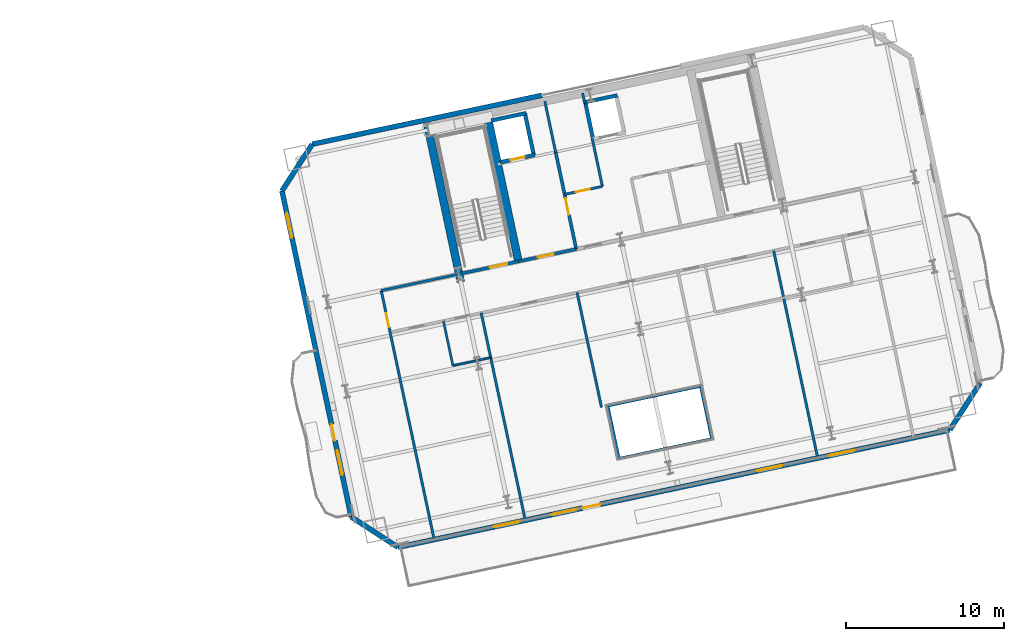
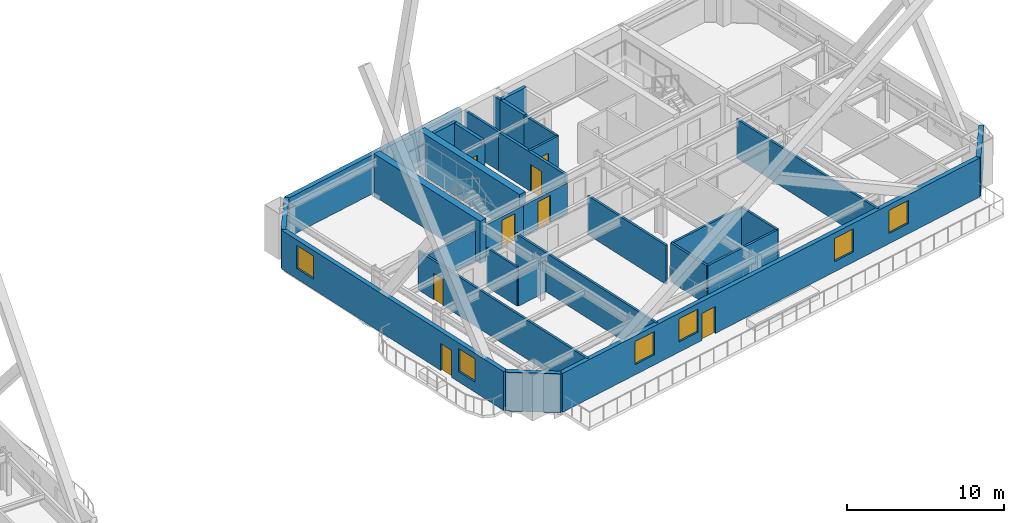
# One storey, part 14 of 22: 31 walls, 8 doors, 6 windows, 14 openings.
"""IFC4 building model written with IfcOpenShell, lengths in metres."""

from ifc_helpers import new_model, si_unit, direction, frame, frame_2d, origin, place, context, subcontext, project, spatial, rectangle, extrude, material, layer, layer_set, type_object, element, fill, save


model = new_model("IFC4")

# Units and contexts
model_context = context("Model", 3, precision=1e-05, world=origin(), true_north=direction((0.0, 1.0)))
body_context = subcontext(model_context, "Body", "Model", "MODEL_VIEW")
ifc_project = project(units=[si_unit("LENGTHUNIT", "METRE"), si_unit("AREAUNIT", "SQUARE_METRE"), si_unit("VOLUMEUNIT", "CUBIC_METRE"), si_unit("PLANEANGLEUNIT", "RADIAN"), si_unit("MASSUNIT", "GRAM", prefix="KILO")], contexts=[model_context])

# Site, building, storey
site_placement = place(None, origin())
site = spatial("IfcSite", under=ifc_project, at=site_placement, CompositionType="ELEMENT")
building_placement = place(site_placement, origin())
building = spatial("IfcBuilding", under=site, at=building_placement, Name="Haevon Station Towers", CompositionType="ELEMENT")
storey_placement = place(building_placement, frame((0.0, 0.0, 93.300048828125)))
storey = spatial("IfcBuildingStorey", under=building, at=storey_placement, Name="L24", CompositionType="ELEMENT", Elevation=93.300048828125)

# Wall, opening, door
ifc_material_1 = material(Name="Gypsum board on steel stud", Category="steel")
ifc_layer_1 = layer(ifc_material_1, 0.199951171875)
ifc_layer_set_1 = layer_set([ifc_layer_1], Name="Gypsum board on steel stud")
wall_type_1 = type_object("IfcWallType", Name="WL-COR200", PredefinedType="PARTITIONING", material=ifc_layer_set_1)
wall_1_placement = place(storey_placement, frame((98.75244140625, 37.4423828125, 0.0), z_axis=(0.0, 0.0, 1.0), x_axis=(0.978143537786, 0.207930804564, 0.0)))
wall_1 = element("IfcWall", 1, at=wall_1_placement, inside=storey, type_object=wall_type_1, Name="WL-ST-ST3-L24", PredefinedType="PARTITIONING", context=body_context, shape_type="SweptSolid", body=[
    extrude(rectangle(XDim=3.85009765625, YDim=0.199951171875, at=frame_2d((1.925048828125, 0.0))), origin(), (0.0, 0.0, 1.0), 2.3798828125),
])
opening_1_placement = place(wall_1_placement, frame((2.0, 0.0, 0.0)))
opening_1 = element("IfcOpeningElement", 2, at=opening_1_placement, cuts=wall_1, Name="Opening DR-ST-ST3-L24", PredefinedType="OPENING", context=body_context, shape_type="SweptSolid", body=[
    extrude(rectangle(XDim=1.1201171875, YDim=2.10009765625, at=frame_2d((0.56005859375, 1.050048828125))), frame((0.0, 0.10986328125, 0.0), z_axis=(0.0, -1.0, 0.0), x_axis=(1.0, 0.0, 0.0)), (0.0, 0.0, 1.0), 0.219970703125),
])
ifc_material_2 = material(Name="Engineered oak timber", Category="wood")
door_type_1 = type_object("IfcDoorType", Name="DR-ST-1120", OperationType="NOTDEFINED", PredefinedType="DOOR", material=ifc_material_2)
door_1_placement = place(opening_1_placement, origin())
door_1 = element("IfcDoor", 3, at=door_1_placement, inside=storey, type_object=door_type_1, Name="L24 Escape Stair ST3 Fire Door", OperationType="SINGLE_SWING_RIGHT", OverallHeight=2.10009765625, OverallWidth=1.1201171875, PredefinedType="DOOR", context=body_context, shape_type="SweptSolid", body=[
    extrude(rectangle(XDim=1.1201171875, YDim=2.10009765625, at=frame_2d((0.56005859375, 1.050048828125))), frame((0.0, 0.02490234375, 0.0), z_axis=(0.0, -1.0, 0.0), x_axis=(1.0, 0.0, 0.0)), (0.0, 0.0, 1.0), 0.050048828125),
])
fill(opening_1, door_1)

wall_2_placement = place(storey_placement, frame((106.186279296875, 39.0224609375, 0.0), z_axis=(0.0, 0.0, 1.0), x_axis=(-0.207916691923, 0.978146537703, 0.0)))
wall_2 = element("IfcWall", 4, at=wall_2_placement, inside=storey, type_object=wall_type_1, Name="WL-T2FFL-L24-E", PredefinedType="PARTITIONING", context=body_context, shape_type="SweptSolid", body=[
    extrude(rectangle(XDim=6.35009765625, YDim=0.199951171875, at=frame_2d((3.175048828125, 0.0))), origin(), (0.0, 0.0, 1.0), 3.030029296875),
])
opening_2_placement = place(wall_2_placement, frame((2.239990234375, 0.0, 0.0)))
opening_2 = element("IfcOpeningElement", 5, at=opening_2_placement, cuts=wall_2, Name="Opening DR-T2FFL-L24-E", PredefinedType="OPENING", context=body_context, shape_type="SweptSolid", body=[
    extrude(rectangle(XDim=1.050048828125, YDim=2.10009765625, at=frame_2d((0.52490234375, 1.050048828125))), frame((0.0, 0.10986328125, 0.0), z_axis=(0.0, -1.0, 0.0), x_axis=(1.0, 0.0, 0.0)), (0.0, 0.0, 1.0), 0.219970703125),
])
door_type_2 = type_object("IfcDoorType", Name="DR-FD60-1050", OperationType="NOTDEFINED", PredefinedType="DOOR", material=ifc_material_2)
door_2_placement = place(opening_2_placement, origin())
door_2 = element("IfcDoor", 6, at=door_2_placement, inside=storey, type_object=door_type_2, Name="L24 Tower 2 Firefighting Lift Lobby Door E", OperationType="SINGLE_SWING_RIGHT", OverallHeight=2.10009765625, OverallWidth=1.050048828125, PredefinedType="DOOR", context=body_context, shape_type="SweptSolid", body=[
    extrude(rectangle(XDim=1.050048828125, YDim=2.10009765625, at=frame_2d((0.52490234375, 1.050048828125))), frame((0.0, 0.02490234375, 0.0), z_axis=(0.0, -1.0, 0.0), x_axis=(1.0, 0.0, 0.0)), (0.0, 0.0, 1.0), 0.050048828125),
])
fill(opening_2, door_2)

wall_3_placement = place(storey_placement, frame((102.518310546875, 38.242919921875, 0.0), z_axis=(0.0, 0.0, 1.0), x_axis=(0.978153555683, 0.20788367301, 0.0)))
wall_3 = element("IfcWall", 7, at=wall_3_placement, inside=storey, type_object=wall_type_1, Name="WL-T2FFL-L24-S", PredefinedType="PARTITIONING", context=body_context, shape_type="SweptSolid", body=[
    extrude(rectangle(XDim=3.75, YDim=0.199951171875, at=frame_2d((1.875, 0.0))), origin(), (0.0, 0.0, 1.0), 2.3798828125),
])
opening_3_placement = place(wall_3_placement, frame((1.25, 0.0, 0.0)))
opening_3 = element("IfcOpeningElement", 8, at=opening_3_placement, cuts=wall_3, Name="Opening DR-T2FFL-L24-S", PredefinedType="OPENING", context=body_context, shape_type="SweptSolid", body=[
    extrude(rectangle(XDim=1.050048828125, YDim=2.10009765625, at=frame_2d((0.52490234375, 1.050048828125))), frame((0.0, 0.10986328125, 0.0), z_axis=(0.0, -1.0, 0.0), x_axis=(1.0, 0.0, 0.0)), (0.0, 0.0, 1.0), 0.219970703125),
])
door_3_placement = place(opening_3_placement, origin())
door_3 = element("IfcDoor", 9, at=door_3_placement, inside=storey, type_object=door_type_2, Name="L24 Tower 2 Firefighting Lift Lobby Door S", OperationType="SINGLE_SWING_LEFT", OverallHeight=2.10009765625, OverallWidth=1.050048828125, PredefinedType="DOOR", context=body_context, shape_type="SweptSolid", body=[
    extrude(rectangle(XDim=1.050048828125, YDim=2.10009765625, at=frame_2d((0.52490234375, 1.050048828125))), frame((0.0, 0.02490234375, 0.0), z_axis=(0.0, -1.0, 0.0), x_axis=(1.0, 0.0, 0.0)), (0.0, 0.0, 1.0), 0.050048828125),
])
fill(opening_3, door_3)

# Walls
ifc_material_3 = material(Name="Concrete C60/75", Category="concrete")
ifc_layer_2 = layer(ifc_material_3, 0.5)
ifc_layer_set_2 = layer_set([ifc_layer_2], Name="Concrete C60/75")
wall_type_2 = type_object("IfcWallType", Name="WL-CR500", PredefinedType="SHEAR", material=ifc_layer_set_2)
wall_4_placement = place(storey_placement, frame((98.8603515625, 36.933837890625, 0.0), z_axis=(0.0, 0.0, 1.0), x_axis=(-0.20790924889, 0.978148119778, 0.0)))
element("IfcWall", 10, at=wall_4_placement, inside=storey, type_object=wall_type_2, Name="WL-T2CR-L24-W", PredefinedType="SHEAR", context=body_context, shape_type="SweptSolid", body=[
    extrude(rectangle(XDim=10.119873046875, YDim=0.5, at=frame_2d((5.06005859375, 0.0))), origin(), (0.0, 0.0, 1.0), 3.300048828125),
])
wall_5_placement = place(storey_placement, frame((102.518310546875, 38.242919921875, 0.0), z_axis=(0.0, 0.0, 1.0), x_axis=(-0.207927495108, 0.978144241295, 0.0)))
element("IfcWall", 11, at=wall_5_placement, inside=storey, type_object=wall_type_2, Name="WL-T2CR-L24-M1", PredefinedType="SHEAR", context=body_context, shape_type="SweptSolid", body=[
    extrude(rectangle(XDim=9.599853515625, YDim=0.5, at=frame_2d((4.7998046875, 0.0))), origin(), (0.0, 0.0, 1.0), 3.300048828125),
])

# Wall, openings, door, windows
ifc_material_4 = material(Name="Precast concrete C45/55", Category="concrete")
ifc_layer_3 = layer(ifc_material_4, 0.320068359375)
ifc_layer_set_3 = layer_set([ifc_layer_3], Name="Precast concrete C45/55")
wall_type_3 = type_object("IfcWallType", Name="WL-EXT-PIER320", PredefinedType="SOLIDWALL", material=ifc_layer_set_3)
wall_6_placement = place(storey_placement, frame((129.889404296875, 27.550048828125, 0.0), z_axis=(0.0, 0.0, 1.0), x_axis=(-0.978146786281, -0.207915522479, 0.0)))
wall_6 = element("IfcWall", 12, at=wall_6_placement, inside=storey, type_object=wall_type_3, Name="WL-T2-L24-S", PredefinedType="SOLIDWALL", context=body_context, shape_type="SweptSolid", body=[
    extrude(rectangle(XDim=35.7998046875, YDim=0.320068359375, at=frame_2d((17.89990234375, 0.0))), origin(), (0.0, 0.0, 1.0), 3.030029296875),
])
opening_4_placement = place(wall_6_placement, frame((22.6884765625, 0.0, 0.0)))
opening_4 = element("IfcOpeningElement", 13, at=opening_4_placement, cuts=wall_6, Name="Opening DR-T2-SKYG-L24", PredefinedType="OPENING", context=body_context, shape_type="SweptSolid", body=[
    extrude(rectangle(XDim=1.14990234375, YDim=2.10009765625, at=frame_2d((0.574951171875, 1.050048828125))), frame((0.0, 0.169921875, 0.0), z_axis=(0.0, -1.0, 0.0), x_axis=(1.0, 0.0, 0.0)), (0.0, 0.0, 1.0), 0.340087890625),
])
opening_5_placement = place(wall_6_placement, frame((27.9208984375, 0.0, 0.800048828125)))
opening_5 = element("IfcOpeningElement", 14, at=opening_5_placement, cuts=wall_6, Name="Opening WN-P165", PredefinedType="OPENING", context=body_context, shape_type="SweptSolid", body=[
    extrude(rectangle(XDim=1.64990234375, YDim=1.800048828125, at=frame_2d((0.824951171875, 0.89990234375))), frame((0.0, 0.169921875, 0.0), z_axis=(0.0, -1.0, 0.0), x_axis=(1.0, 0.0, 0.0)), (0.0, 0.0, 1.0), 0.340087890625),
])
opening_6_placement = place(wall_6_placement, frame((24.177490234375, 0.0, 0.800048828125)))
opening_6 = element("IfcOpeningElement", 15, at=opening_6_placement, cuts=wall_6, Name="Opening WN-P165", PredefinedType="OPENING", context=body_context, shape_type="SweptSolid", body=[
    extrude(rectangle(XDim=1.64990234375, YDim=1.800048828125, at=frame_2d((0.824951171875, 0.89990234375))), frame((0.0, 0.169921875, 0.0), z_axis=(0.0, -1.0, 0.0), x_axis=(1.0, 0.0, 0.0)), (0.0, 0.0, 1.0), 0.340087890625),
])
opening_7_placement = place(wall_6_placement, frame((10.85498046875, 0.0, 0.800048828125)))
opening_7 = element("IfcOpeningElement", 16, at=opening_7_placement, cuts=wall_6, Name="Opening WN-P165", PredefinedType="OPENING", context=body_context, shape_type="SweptSolid", body=[
    extrude(rectangle(XDim=1.64990234375, YDim=1.800048828125, at=frame_2d((0.824951171875, 0.89990234375))), frame((0.0, 0.169921875, 0.0), z_axis=(0.0, -1.0, 0.0), x_axis=(1.0, 0.0, 0.0)), (0.0, 0.0, 1.0), 0.340087890625),
])
opening_8_placement = place(wall_6_placement, frame((6.158935546875, 0.0, 0.800048828125)))
opening_8 = element("IfcOpeningElement", 17, at=opening_8_placement, cuts=wall_6, Name="Opening WN-P165", PredefinedType="OPENING", context=body_context, shape_type="SweptSolid", body=[
    extrude(rectangle(XDim=1.64990234375, YDim=1.800048828125, at=frame_2d((0.824951171875, 0.89990234375))), frame((0.0, 0.169921875, 0.0), z_axis=(0.0, -1.0, 0.0), x_axis=(1.0, 0.0, 0.0)), (0.0, 0.0, 1.0), 0.340087890625),
])
ifc_material_5 = material(Name="Thermally broken anodised aluminium and laminated safety glass", Category="aluminium")
door_type_3 = type_object("IfcDoorType", Name="DR-BALC-1150", OperationType="NOTDEFINED", PredefinedType="DOOR", material=ifc_material_5)
door_4_placement = place(opening_4_placement, origin())
door_4 = element("IfcDoor", 18, at=door_4_placement, inside=storey, type_object=door_type_3, Name="Tower 2 L24 Sky Garden Terrace Door", OperationType="SINGLE_SWING_RIGHT", OverallHeight=2.10009765625, OverallWidth=1.14990234375, PredefinedType="DOOR", context=body_context, shape_type="SweptSolid", body=[
    extrude(rectangle(XDim=1.14990234375, YDim=2.10009765625, at=frame_2d((0.574951171875, 1.050048828125))), frame((0.0, 0.02490234375, 0.0), z_axis=(0.0, -1.0, 0.0), x_axis=(1.0, 0.0, 0.0)), (0.0, 0.0, 1.0), 0.050048828125),
])
fill(opening_4, door_4)
ifc_material_6 = material(Name="Low-E triple glazing in thermally broken aluminium", Category="aluminium")
window_type_1 = type_object("IfcWindowType", Name="WN-P165", PartitioningType="SINGLE_PANEL", PredefinedType="WINDOW", material=ifc_material_6)
window_1_placement = place(opening_5_placement, origin())
window_1 = element("IfcWindow", 19, at=window_1_placement, inside=storey, type_object=window_type_1, Name="WN-T2-L24-S01", OverallHeight=1.800048828125, OverallWidth=1.64990234375, PartitioningType="SINGLE_PANEL", PredefinedType="WINDOW", context=body_context, shape_type="SweptSolid", body=[
    extrude(rectangle(XDim=1.64990234375, YDim=1.800048828125, at=frame_2d((0.824951171875, 0.89990234375))), frame((0.0, 0.030029296875, 0.0), z_axis=(0.0, -1.0, 0.0), x_axis=(1.0, 0.0, 0.0)), (0.0, 0.0, 1.0), 0.06005859375),
])
fill(opening_5, window_1)
window_2_placement = place(opening_6_placement, origin())
window_2 = element("IfcWindow", 20, at=window_2_placement, inside=storey, type_object=window_type_1, Name="WN-T2-L24-S02", OverallHeight=1.800048828125, OverallWidth=1.64990234375, PartitioningType="SINGLE_PANEL", PredefinedType="WINDOW", context=body_context, shape_type="SweptSolid", body=[
    extrude(rectangle(XDim=1.64990234375, YDim=1.800048828125, at=frame_2d((0.824951171875, 0.89990234375))), frame((0.0, 0.030029296875, 0.0), z_axis=(0.0, -1.0, 0.0), x_axis=(1.0, 0.0, 0.0)), (0.0, 0.0, 1.0), 0.06005859375),
])
fill(opening_6, window_2)
window_3_placement = place(opening_7_placement, origin())
window_3 = element("IfcWindow", 21, at=window_3_placement, inside=storey, type_object=window_type_1, Name="WN-T2-L24-S03", OverallHeight=1.800048828125, OverallWidth=1.64990234375, PartitioningType="SINGLE_PANEL", PredefinedType="WINDOW", context=body_context, shape_type="SweptSolid", body=[
    extrude(rectangle(XDim=1.64990234375, YDim=1.800048828125, at=frame_2d((0.824951171875, 0.89990234375))), frame((0.0, 0.030029296875, 0.0), z_axis=(0.0, -1.0, 0.0), x_axis=(1.0, 0.0, 0.0)), (0.0, 0.0, 1.0), 0.06005859375),
])
fill(opening_7, window_3)
window_4_placement = place(opening_8_placement, origin())
window_4 = element("IfcWindow", 22, at=window_4_placement, inside=storey, type_object=window_type_1, Name="WN-T2-L24-S04", OverallHeight=1.800048828125, OverallWidth=1.64990234375, PartitioningType="SINGLE_PANEL", PredefinedType="WINDOW", context=body_context, shape_type="SweptSolid", body=[
    extrude(rectangle(XDim=1.64990234375, YDim=1.800048828125, at=frame_2d((0.824951171875, 0.89990234375))), frame((0.0, 0.030029296875, 0.0), z_axis=(0.0, -1.0, 0.0), x_axis=(1.0, 0.0, 0.0)), (0.0, 0.0, 1.0), 0.06005859375),
])
fill(opening_8, window_4)

# Wall
wall_7_placement = place(storey_placement, frame((94.871826171875, 20.106689453125, 0.0), z_axis=(0.0, 0.0, 1.0), x_axis=(-0.838640767148, 0.544684921471, 0.0)))
element("IfcWall", 23, at=wall_7_placement, inside=storey, type_object=wall_type_3, Name="WL-T2-L24-SWC", PredefinedType="SOLIDWALL", context=body_context, shape_type="SweptSolid", body=[
    extrude(rectangle(XDim=3.53564453125, YDim=0.320068359375, at=frame_2d((1.767822265625, 0.0))), origin(), (0.0, 0.0, 1.0), 3.030029296875),
])

# Wall, openings, door, windows
wall_8_placement = place(storey_placement, frame((91.90673828125, 22.032470703125, 0.0), z_axis=(0.0, 0.0, 1.0), x_axis=(-0.207918258146, 0.978146204782, 0.0)))
wall_8 = element("IfcWall", 24, at=wall_8_placement, inside=storey, type_object=wall_type_3, Name="WL-T2-L24-W", PredefinedType="SOLIDWALL", context=body_context, shape_type="SweptSolid", body=[
    extrude(rectangle(XDim=21.14990234375, YDim=0.320068359375, at=frame_2d((10.574951171875, 0.0))), origin(), (0.0, 0.0, 1.0), 3.030029296875),
])
opening_9_placement = place(wall_8_placement, frame((4.949951171875, 0.0, 0.0)))
opening_9 = element("IfcOpeningElement", 25, at=opening_9_placement, cuts=wall_8, Name="Opening DR-T2-SCAL-L24-W", PredefinedType="OPENING", context=body_context, shape_type="SweptSolid", body=[
    extrude(rectangle(XDim=1.050048828125, YDim=2.10009765625, at=frame_2d((0.52490234375, 1.050048828125))), frame((0.0, 0.169921875, 0.0), z_axis=(0.0, -1.0, 0.0), x_axis=(1.0, 0.0, 0.0)), (0.0, 0.0, 1.0), 0.340087890625),
])
opening_10_placement = place(wall_8_placement, frame((2.72314453125, 0.0, 0.800048828125)))
opening_10 = element("IfcOpeningElement", 26, at=opening_10_placement, cuts=wall_8, Name="Opening WN-END160", PredefinedType="OPENING", context=body_context, shape_type="SweptSolid", body=[
    extrude(rectangle(XDim=1.60009765625, YDim=1.800048828125, at=frame_2d((0.800048828125, 0.89990234375))), frame((0.0, 0.169921875, 0.0), z_axis=(0.0, -1.0, 0.0), x_axis=(1.0, 0.0, 0.0)), (0.0, 0.0, 1.0), 0.340087890625),
])
opening_11_placement = place(wall_8_placement, frame((18.10888671875, 0.0, 0.800048828125)))
opening_11 = element("IfcOpeningElement", 27, at=opening_11_placement, cuts=wall_8, Name="Opening WN-END160", PredefinedType="OPENING", context=body_context, shape_type="SweptSolid", body=[
    extrude(rectangle(XDim=1.60009765625, YDim=1.800048828125, at=frame_2d((0.800048828125, 0.89990234375))), frame((0.0, 0.169921875, 0.0), z_axis=(0.0, -1.0, 0.0), x_axis=(1.0, 0.0, 0.0)), (0.0, 0.0, 1.0), 0.340087890625),
])
door_type_4 = type_object("IfcDoorType", Name="DR-BALC-1050", OperationType="NOTDEFINED", PredefinedType="DOOR", material=ifc_material_5)
door_5_placement = place(opening_9_placement, origin())
door_5 = element("IfcDoor", 28, at=door_5_placement, inside=storey, type_object=door_type_4, Name="Tower 2 L24 West Scalloped Balcony Door", OperationType="SINGLE_SWING_LEFT", OverallHeight=2.10009765625, OverallWidth=1.050048828125, PredefinedType="DOOR", context=body_context, shape_type="SweptSolid", body=[
    extrude(rectangle(XDim=1.050048828125, YDim=2.10009765625, at=frame_2d((0.52490234375, 1.050048828125))), frame((0.0, 0.02490234375, 0.0), z_axis=(0.0, -1.0, 0.0), x_axis=(1.0, 0.0, 0.0)), (0.0, 0.0, 1.0), 0.050048828125),
])
fill(opening_9, door_5)
window_type_2 = type_object("IfcWindowType", Name="WN-END160", PartitioningType="SINGLE_PANEL", PredefinedType="WINDOW", material=ifc_material_6)
window_5_placement = place(opening_10_placement, origin())
window_5 = element("IfcWindow", 29, at=window_5_placement, inside=storey, type_object=window_type_2, Name="WN-T2-L24-W01", OverallHeight=1.800048828125, OverallWidth=1.60009765625, PartitioningType="SINGLE_PANEL", PredefinedType="WINDOW", context=body_context, shape_type="SweptSolid", body=[
    extrude(rectangle(XDim=1.60009765625, YDim=1.800048828125, at=frame_2d((0.800048828125, 0.89990234375))), frame((0.0, 0.030029296875, 0.0), z_axis=(0.0, -1.0, 0.0), x_axis=(1.0, 0.0, 0.0)), (0.0, 0.0, 1.0), 0.06005859375),
])
fill(opening_10, window_5)
window_6_placement = place(opening_11_placement, origin())
window_6 = element("IfcWindow", 30, at=window_6_placement, inside=storey, type_object=window_type_2, Name="WN-T2-L24-W02", OverallHeight=1.800048828125, OverallWidth=1.60009765625, PartitioningType="SINGLE_PANEL", PredefinedType="WINDOW", context=body_context, shape_type="SweptSolid", body=[
    extrude(rectangle(XDim=1.60009765625, YDim=1.800048828125, at=frame_2d((0.800048828125, 0.89990234375))), frame((0.0, 0.030029296875, 0.0), z_axis=(0.0, -1.0, 0.0), x_axis=(1.0, 0.0, 0.0)), (0.0, 0.0, 1.0), 0.06005859375),
])
fill(opening_11, window_6)

# Walls
wall_9_placement = place(storey_placement, frame((87.50927734375, 42.72021484375, 0.0), z_axis=(0.0, 0.0, 1.0), x_axis=(0.544684921471, 0.838640767148, 0.0)))
element("IfcWall", 31, at=wall_9_placement, inside=storey, type_object=wall_type_3, Name="WL-T2-L24-NWC", PredefinedType="SOLIDWALL", context=body_context, shape_type="SweptSolid", body=[
    extrude(rectangle(XDim=3.53564453125, YDim=0.320068359375, at=frame_2d((1.767822265625, 0.0))), origin(), (0.0, 0.0, 1.0), 3.030029296875),
])
wall_10_placement = place(storey_placement, frame((89.43505859375, 45.685302734375, 0.0), z_axis=(0.0, 0.0, 1.0), x_axis=(0.97814685598, 0.207915194578, 0.0)))
element("IfcWall", 32, at=wall_10_placement, inside=storey, type_object=wall_type_3, Name="WL-T2-L24-N1", PredefinedType="SOLIDWALL", context=body_context, shape_type="SweptSolid", body=[
    extrude(rectangle(XDim=14.89990234375, YDim=0.320068359375, at=frame_2d((7.449951171875, 0.0))), origin(), (0.0, 0.0, 1.0), 3.030029296875),
])
wall_11_placement = place(storey_placement, frame((131.815185546875, 30.51513671875, 0.0), z_axis=(0.0, 0.0, 1.0), x_axis=(-0.544684921471, -0.838640767148, 0.0)))
element("IfcWall", 33, at=wall_11_placement, inside=storey, type_object=wall_type_3, Name="WL-T2-L24-SEC", PredefinedType="SOLIDWALL", context=body_context, shape_type="SweptSolid", body=[
    extrude(rectangle(XDim=3.53564453125, YDim=0.320068359375, at=frame_2d((1.767822265625, 0.0))), origin(), (0.0, 0.0, 1.0), 3.030029296875),
])
ifc_layer_4 = layer(ifc_material_1, 0.125)
ifc_layer_set_4 = layer_set([ifc_layer_4], Name="Gypsum board on steel stud")
wall_type_4 = type_object("IfcWallType", Name="WL-PRT125", PredefinedType="PARTITIONING", material=ifc_layer_set_4)
wall_12_placement = place(storey_placement, frame((98.3603515625, 31.634033203125, 0.0), z_axis=(0.0, 0.0, 1.0), x_axis=(0.978156824814, 0.207868290196, 0.0)))
element("IfcWall", 34, at=wall_12_placement, inside=storey, type_object=wall_type_4, Name="WL-T2PT-L24-09", PredefinedType="PARTITIONING", context=body_context, shape_type="SweptSolid", body=[
    extrude(rectangle(XDim=2.449951171875, YDim=0.125, at=frame_2d((1.22509765625, 0.0))), origin(), (0.0, 0.0, 1.0), 2.3798828125),
])
ifc_layer_5 = layer(ifc_material_1, 0.139892578125)
ifc_layer_set_5 = layer_set([ifc_layer_5], Name="Gypsum board on steel stud")
wall_type_5 = type_object("IfcWallType", Name="WL-PRT140", PredefinedType="PARTITIONING", material=ifc_layer_set_5)
wall_13_placement = place(storey_placement, frame((98.3603515625, 31.634033203125, 0.0), z_axis=(0.0, 0.0, 1.0), x_axis=(-0.207855735235, 0.978159492787, 0.0)))
element("IfcWall", 35, at=wall_13_placement, inside=storey, type_object=wall_type_5, Name="WL-T2PT-L24-10", PredefinedType="PARTITIONING", context=body_context, shape_type="SweptSolid", body=[
    extrude(rectangle(XDim=2.89990234375, YDim=0.139892578125, at=frame_2d((1.449951171875, 0.0))), origin(), (0.0, 0.0, 1.0), 3.030029296875),
])
ifc_layer_6 = layer(ifc_material_1, 0.159912109375)
ifc_layer_set_6 = layer_set([ifc_layer_6], Name="Gypsum board on steel stud")
wall_type_6 = type_object("IfcWallType", Name="WL-PRT160", PredefinedType="PARTITIONING", material=ifc_layer_set_6)
wall_14_placement = place(storey_placement, frame((104.88671875, 45.135986328125, 0.0), z_axis=(0.0, 0.0, 1.0), x_axis=(-0.207846553267, 0.978161443881, 0.0)))
element("IfcWall", 36, at=wall_14_placement, inside=storey, type_object=wall_type_6, Name="WL-T2CW-L24-01", PredefinedType="PARTITIONING", context=body_context, shape_type="SweptSolid", body=[
    extrude(rectangle(XDim=3.35009765625, YDim=0.159912109375, at=frame_2d((1.675048828125, 0.0))), origin(), (0.0, 0.0, 1.0), 3.030029296875),
])

# Wall, opening, door
wall_15_placement = place(storey_placement, frame((105.4482421875, 42.494873046875, 0.0), z_axis=(0.0, 0.0, 1.0), x_axis=(0.978136559131, 0.207963630695, 0.0)))
wall_15 = element("IfcWall", 37, at=wall_15_placement, inside=storey, type_object=wall_type_6, Name="WL-T2CW-L24-02", PredefinedType="PARTITIONING", context=body_context, shape_type="SweptSolid", body=[
    extrude(rectangle(XDim=2.449951171875, YDim=0.159912109375, at=frame_2d((1.22509765625, 0.0))), origin(), (0.0, 0.0, 1.0), 3.030029296875),
])
opening_12_placement = place(wall_15_placement, frame((0.719970703125, 0.0, 0.0)))
opening_12 = element("IfcOpeningElement", 38, at=opening_12_placement, cuts=wall_15, Name="Opening DR-WL-T2CW-L24-02-1", PredefinedType="OPENING", context=body_context, shape_type="SweptSolid", body=[
    extrude(rectangle(XDim=0.89990234375, YDim=2.10009765625, at=frame_2d((0.449951171875, 1.050048828125))), frame((0.0, 0.08984375, 0.0), z_axis=(0.0, -1.0, 0.0), x_axis=(1.0, 0.0, 0.0)), (0.0, 0.0, 1.0), 0.179931640625),
])
door_type_5 = type_object("IfcDoorType", Name="DR-FD60-900", OperationType="NOTDEFINED", PredefinedType="DOOR", material=ifc_material_2)
door_6_placement = place(opening_12_placement, origin())
door_6 = element("IfcDoor", 39, at=door_6_placement, inside=storey, type_object=door_type_5, Name="L24 Tower 2 Core Room Door 2-1", OperationType="SINGLE_SWING_LEFT", OverallHeight=2.10009765625, OverallWidth=0.89990234375, PredefinedType="DOOR", context=body_context, shape_type="SweptSolid", body=[
    extrude(rectangle(XDim=0.89990234375, YDim=2.10009765625, at=frame_2d((0.449951171875, 1.050048828125))), frame((0.0, 0.02490234375, 0.0), z_axis=(0.0, -1.0, 0.0), x_axis=(1.0, 0.0, 0.0)), (0.0, 0.0, 1.0), 0.050048828125),
])
fill(opening_12, door_6)

# Walls
wall_16_placement = place(storey_placement, frame((107.8447265625, 43.00439453125, 0.0), z_axis=(0.0, 0.0, 1.0), x_axis=(-0.207915270313, 0.978146839882, 0.0)))
element("IfcWall", 40, at=wall_16_placement, inside=storey, type_object=wall_type_6, Name="WL-T2CW-L24-03", PredefinedType="PARTITIONING", context=body_context, shape_type="SweptSolid", body=[
    extrude(rectangle(XDim=3.099853515625, YDim=0.159912109375, at=frame_2d((1.5498046875, 0.0))), origin(), (0.0, 0.0, 1.0), 3.030029296875),
])
wall_17_placement = place(storey_placement, frame((106.721923828125, 48.286376953125, 0.0), z_axis=(0.0, 0.0, 1.0), x_axis=(-0.208092352933, 0.978109182377, 0.0)))
element("IfcWall", 41, at=wall_17_placement, inside=storey, type_object=wall_type_6, Name="WL-T2CW-L24-04", PredefinedType="PARTITIONING", context=body_context, shape_type="SweptSolid", body=[
    extrude(rectangle(XDim=0.64990234375, YDim=0.159912109375, at=frame_2d((0.324951171875, 0.0))), origin(), (0.0, 0.0, 1.0), 3.030029296875),
])
wall_18_placement = place(storey_placement, frame((93.812744140625, 36.392578125, 0.0), z_axis=(0.0, 0.0, 1.0), x_axis=(0.978154058851, 0.207881305445, 0.0)))
element("IfcWall", 42, at=wall_18_placement, inside=storey, type_object=wall_type_6, Name="WL-T2PT-L24-01", PredefinedType="PARTITIONING", context=body_context, shape_type="SweptSolid", body=[
    extrude(rectangle(XDim=5.050048828125, YDim=0.159912109375, at=frame_2d((2.52490234375, 0.0))), origin(), (0.0, 0.0, 1.0), 2.3798828125),
])

# Wall, opening, door
wall_19_placement = place(storey_placement, frame((97.17041015625, 20.595458984375, 0.0), z_axis=(0.0, 0.0, 1.0), x_axis=(-0.20790485933, 0.978149052786, 0.0)))
wall_19 = element("IfcWall", 43, at=wall_19_placement, inside=storey, type_object=wall_type_6, Name="WL-T2PT-L24-03", PredefinedType="PARTITIONING", context=body_context, shape_type="SweptSolid", body=[
    extrude(rectangle(XDim=16.14990234375, YDim=0.159912109375, at=frame_2d((8.074951171875, 0.0))), origin(), (0.0, 0.0, 1.0), 3.030029296875),
])
opening_13_placement = place(wall_19_placement, frame((13.77001953125, 0.0, 0.0)))
opening_13 = element("IfcOpeningElement", 44, at=opening_13_placement, cuts=wall_19, Name="Opening DR-WL-T2PT-L24-03-01", PredefinedType="OPENING", context=body_context, shape_type="SweptSolid", body=[
    extrude(rectangle(XDim=0.89990234375, YDim=2.050048828125, at=frame_2d((0.449951171875, 1.02490234375))), frame((0.0, 0.08984375, 0.0), z_axis=(0.0, -1.0, 0.0), x_axis=(1.0, 0.0, 0.0)), (0.0, 0.0, 1.0), 0.179931640625),
])
door_type_6 = type_object("IfcDoorType", Name="DR-INT-900", OperationType="NOTDEFINED", PredefinedType="DOOR", material=ifc_material_2)
door_7_placement = place(opening_13_placement, origin())
door_7 = element("IfcDoor", 45, at=door_7_placement, inside=storey, type_object=door_type_6, Name="L24 Tower 2 Room Door 3-1", OperationType="SINGLE_SWING_RIGHT", OverallHeight=2.050048828125, OverallWidth=0.89990234375, PredefinedType="DOOR", context=body_context, shape_type="SweptSolid", body=[
    extrude(rectangle(XDim=0.89990234375, YDim=2.050048828125, at=frame_2d((0.449951171875, 1.02490234375))), frame((0.0, 0.02490234375, 0.0), z_axis=(0.0, -1.0, 0.0), x_axis=(1.0, 0.0, 0.0)), (0.0, 0.0, 1.0), 0.050048828125),
])
fill(opening_13, door_7)

# Walls
for number, where, z_axis, x_axis, name in (
    (46, (108.90576171875, 25.747802734375, 0.0), (0.0, 0.0, 1.0), (0.978144681088, 0.207925426197, 0.0), "WL-T2PT-L24-05"),
    (47, (108.19873046875, 29.073486328125, 0.0), (0.0, 0.0, 1.0), (0.978144681088, 0.207925426197, 0.0), "WL-T2PT-L24-06"),
):
    element("IfcWall", number, at=place(storey_placement, frame(where, z_axis=z_axis, x_axis=x_axis)), inside=storey, type_object=wall_type_6, Name=name, PredefinedType="PARTITIONING", context=body_context, shape_type="SweptSolid", body=[
        extrude(rectangle(XDim=6.0, YDim=0.159912109375, at=frame_2d((3.0, 0.0))), origin(), (0.0, 0.0, 1.0), 3.030029296875),
    ])
for number, where, z_axis, x_axis, name in (
    (48, (108.90576171875, 25.747802734375, 0.0), (0.0, 0.0, 1.0), (-0.207949787024, 0.97813950236, 0.0), "WL-T2PT-L24-07"),
    (49, (114.774658203125, 26.995361328125, 0.0), (0.0, 0.0, 1.0), (-0.207949787024, 0.97813950236, 0.0), "WL-T2PT-L24-08"),
):
    element("IfcWall", number, at=place(storey_placement, frame(where, z_axis=z_axis, x_axis=x_axis)), inside=storey, type_object=wall_type_6, Name=name, PredefinedType="PARTITIONING", context=body_context, shape_type="SweptSolid", body=[
        extrude(rectangle(XDim=3.39990234375, YDim=0.159912109375, at=frame_2d((1.699951171875, 0.0))), origin(), (0.0, 0.0, 1.0), 3.030029296875),
    ])
wall_20_placement = place(storey_placement, frame((102.950439453125, 21.823974609375, 0.0), z_axis=(0.0, 0.0, 1.0), x_axis=(-0.207911075347, 0.978147731556, 0.0)))
element("IfcWall", 50, at=wall_20_placement, inside=storey, type_object=wall_type_6, Name="WL-T2PT-L24-11", PredefinedType="PARTITIONING", context=body_context, shape_type="SweptSolid", body=[
    extrude(rectangle(XDim=13.449951171875, YDim=0.159912109375, at=frame_2d((6.72509765625, 0.0))), origin(), (0.0, 0.0, 1.0), 3.030029296875),
])
wall_21_placement = place(storey_placement, frame((107.786865234375, 28.986083984375, 0.0), z_axis=(0.0, 0.0, 1.0), x_axis=(-0.207899517354, 0.978150188204, 0.0)))
element("IfcWall", 51, at=wall_21_placement, inside=storey, type_object=wall_type_6, Name="WL-T2PT-L24-12", PredefinedType="PARTITIONING", context=body_context, shape_type="SweptSolid", body=[
    extrude(rectangle(XDim=7.449951171875, YDim=0.159912109375, at=frame_2d((3.72509765625, 0.0))), origin(), (0.0, 0.0, 1.0), 3.030029296875),
])
wall_22_placement = place(storey_placement, frame((121.5068359375, 25.768310546875, 0.0), z_axis=(0.0, 0.0, 1.0), x_axis=(-0.207911075347, 0.978147731556, 0.0)))
element("IfcWall", 52, at=wall_22_placement, inside=storey, type_object=wall_type_6, Name="WL-T2PT-L24-17", PredefinedType="PARTITIONING", context=body_context, shape_type="SweptSolid", body=[
    extrude(rectangle(XDim=13.449951171875, YDim=0.159912109375, at=frame_2d((6.72509765625, 0.0))), origin(), (0.0, 0.0, 1.0), 3.030029296875),
])

# Wall, opening, door
ifc_material_7 = material(Name="Concrete C40/50", Category="concrete")
ifc_layer_7 = layer(ifc_material_7, 0.239990234375)
ifc_layer_set_7 = layer_set([ifc_layer_7], Name="Concrete C40/50")
wall_type_7 = type_object("IfcWallType", Name="WL-SHF240", PredefinedType="PARTITIONING", material=ifc_layer_set_7)
wall_23_placement = place(storey_placement, frame((101.353759765625, 44.538330078125, 0.0), z_axis=(0.0, 0.0, 1.0), x_axis=(0.978141002414, 0.207942731049, 0.0)))
wall_23 = element("IfcWall", 53, at=wall_23_placement, inside=storey, type_object=wall_type_7, Name="WL-SHF-FL2-L24", PredefinedType="PARTITIONING", context=body_context, shape_type="SweptSolid", body=[
    extrude(rectangle(XDim=2.260009765625, YDim=0.239990234375, at=frame_2d((1.1298828125, 0.0))), origin(), (0.0, 0.0, 1.0), 2.72998046875),
])
opening_14_placement = place(wall_23_placement, frame((0.655029296875, 0.0, 0.0)))
opening_14 = element("IfcOpeningElement", 54, at=opening_14_placement, cuts=wall_23, Name="Opening LD-FL2-L24", PredefinedType="OPENING", context=body_context, shape_type="SweptSolid", body=[
    extrude(rectangle(XDim=0.949951171875, YDim=2.14990234375, at=frame_2d((0.47509765625, 1.074951171875))), frame((0.0, 0.1298828125, 0.0), z_axis=(0.0, -1.0, 0.0), x_axis=(1.0, 0.0, 0.0)), (0.0, 0.0, 1.0), 0.260009765625),
])
ifc_material_8 = material(Name="Stainless steel and rated core", Category="steel")
door_type_7 = type_object("IfcDoorType", Name="LD-FL950", OperationType="SLIDING_TO_LEFT", PredefinedType="DOOR", material=ifc_material_8)
door_8_placement = place(opening_14_placement, origin())
door_8 = element("IfcDoor", 55, at=door_8_placement, inside=storey, type_object=door_type_7, Name="L24 Lift FL2 Sliding Landing Door", OperationType="SLIDING_TO_LEFT", OverallHeight=2.14990234375, OverallWidth=0.949951171875, PredefinedType="DOOR", context=body_context, shape_type="SweptSolid", body=[
    extrude(rectangle(XDim=0.949951171875, YDim=2.14990234375, at=frame_2d((0.47509765625, 1.074951171875))), frame((0.0, 0.02490234375, 0.0), z_axis=(0.0, -1.0, 0.0), x_axis=(1.0, 0.0, 0.0)), (0.0, 0.0, 1.0), 0.050048828125),
])
fill(opening_14, door_8)

# Walls
wall_24_placement = place(storey_placement, frame((100.79248046875, 47.179443359375, 0.0), z_axis=(0.0, 0.0, 1.0), x_axis=(0.978162968872, 0.207839376268, 0.0)))
element("IfcWall", 56, at=wall_24_placement, inside=storey, type_object=wall_type_7, Name="WL-SHF-FL2-L24-N", PredefinedType="PARTITIONING", context=body_context, shape_type="SweptSolid", body=[
    extrude(rectangle(XDim=2.260009765625, YDim=0.239990234375, at=frame_2d((1.1298828125, 0.0))), origin(), (0.0, 0.0, 1.0), 3.030029296875),
])
wall_25_placement = place(storey_placement, frame((103.486328125, 44.99169921875, 0.0), z_axis=(0.0, 0.0, 1.0), x_axis=(-0.207978798957, 0.978133334052, 0.0)))
element("IfcWall", 57, at=wall_25_placement, inside=storey, type_object=wall_type_7, Name="WL-SHF-FL2-L24-E", PredefinedType="PARTITIONING", context=body_context, shape_type="SweptSolid", body=[
    extrude(rectangle(XDim=2.699951171875, YDim=0.239990234375, at=frame_2d((1.35009765625, 0.0))), origin(), (0.0, 0.0, 1.0), 3.030029296875),
])
wall_26_placement = place(storey_placement, frame((106.68212890625, 48.3291015625, 0.0), z_axis=(0.0, 0.0, 1.0), x_axis=(0.978158276388, 0.207861459473, 0.0)))
element("IfcWall", 58, at=wall_26_placement, inside=storey, type_object=wall_type_7, Name="WL-SHF-PL8-L24-N", PredefinedType="PARTITIONING", context=body_context, shape_type="SweptSolid", body=[
    extrude(rectangle(XDim=2.159912109375, YDim=0.239990234375, at=frame_2d((1.080078125, 0.0))), origin(), (0.0, 0.0, 1.0), 3.030029296875),
])
wall_27_placement = place(storey_placement, frame((107.259521484375, 45.998046875, 0.0), z_axis=(0.0, 0.0, 1.0), x_axis=(-0.207917150959, 0.978146440129, 0.0)))
element("IfcWall", 59, at=wall_27_placement, inside=storey, type_object=wall_type_7, Name="WL-SHF-PL8-L24-W", PredefinedType="PARTITIONING", context=body_context, shape_type="SweptSolid", body=[
    extrude(rectangle(XDim=2.400146484375, YDim=0.239990234375, at=frame_2d((1.2001953125, 0.0))), origin(), (0.0, 0.0, 1.0), 3.030029296875),
])

save(model, "model.ifc")
